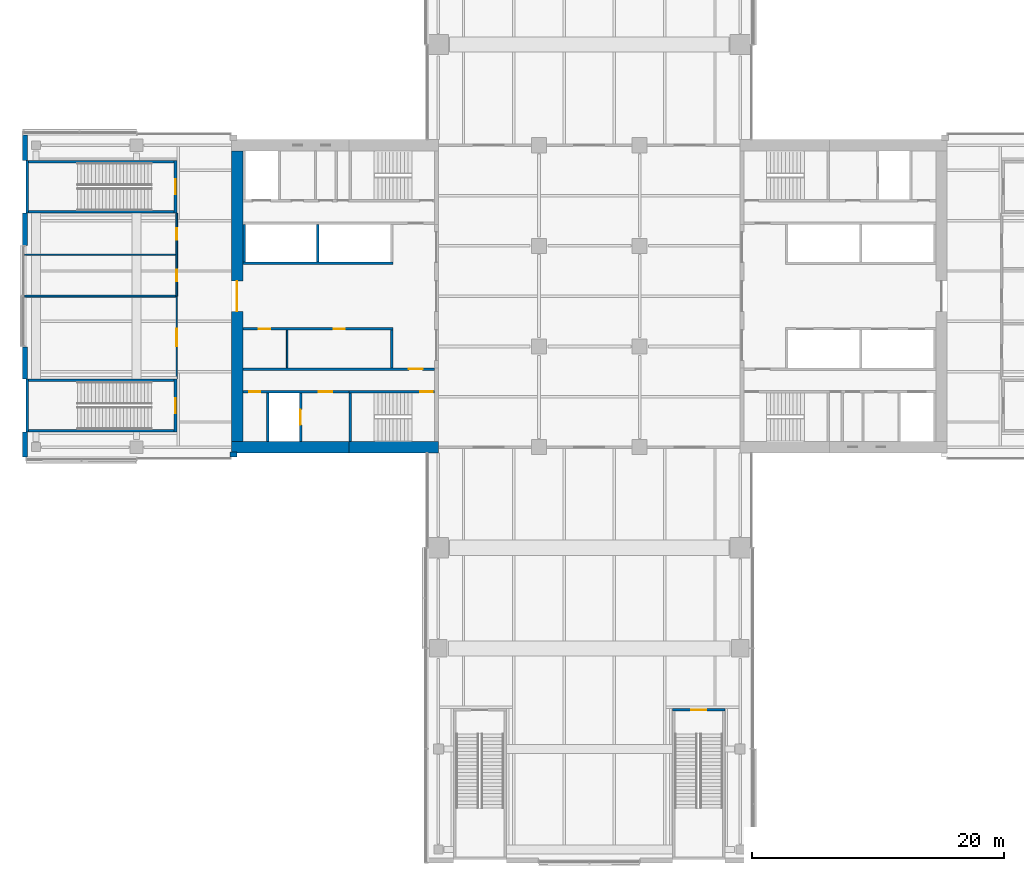
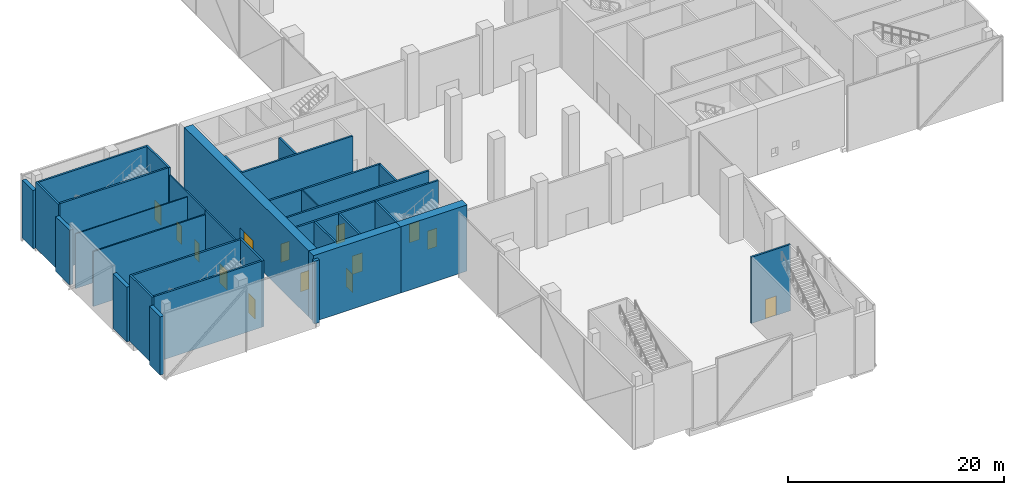
# One storey, part 14 of 25: 33 walls, 14 doors, 14 openings.
"""IFC4 building model written with IfcOpenShell, lengths in metres."""

import ifcopenshell
import ifcopenshell.guid

model = None  # the IFC model being written
_history = None  # IfcOwnerHistory: only IFC2X3 demands one
_inside = {}  # id of a spatial element -> (the spatial element, [elements in it])
_under = {}  # id of a project, library or spatial element -> (it, [spatial elements below it])
_declared = {}  # id of a project -> (the project, [libraries it declares])
_typed = {}  # id of a type object -> (the type object, [elements of that type])
_made_of = {}  # id of a material, layer set ... -> (it, [elements and type objects made of it])


def new_model(schema):
    """Start an empty IFC model of exactly this schema.

    Asked for "IFC4X3", IfcOpenShell would pick the latest addendum, in which some entities
    have other attributes; the version numbers below select the first issue.
    IFC2X3 requires an IfcOwnerHistory on every rooted entity: one is made here for all.
    """
    global model, _history
    if schema == "IFC4X3":
        model = ifcopenshell.file(schema_version=(4, 3, 0, 0))
    else:
        model = ifcopenshell.file(schema=schema)
    _inside.clear()
    _under.clear()
    _declared.clear()
    _typed.clear()
    _made_of.clear()
    _history = None
    if model.schema == "IFC2X3":
        org = make("IfcOrganization", Name="unknown")
        user = make(
            "IfcPersonAndOrganization",
            ThePerson=make("IfcPerson", FamilyName="unknown"),
            TheOrganization=org,
        )
        app = make(
            "IfcApplication",
            ApplicationDeveloper=org,
            Version="unknown",
            ApplicationFullName="unknown",
            ApplicationIdentifier="unknown",
        )
        _history = make(
            "IfcOwnerHistory",
            OwningUser=user,
            OwningApplication=app,
            ChangeAction="ADDED",
            CreationDate=0,
        )
    return model


def make(cls, **values):
    """One entity of the class cls with the attributes given. An attribute that is None is left unset."""
    return model.create_entity(
        cls, **{name: value for name, value in values.items() if value is not None}
    )


def rooted(cls, **values):
    """An entity with a GlobalId (a new one), such as an element, a storey or a relation."""
    return make(cls, GlobalId=ifcopenshell.guid.new(), OwnerHistory=_history, **values)


def si_unit(unit_type, name, prefix=None):
    """IfcSIUnit, for example si_unit("LENGTHUNIT", "METRE", prefix="MILLI")."""
    return make("IfcSIUnit", UnitType=unit_type, Prefix=prefix, Name=name)


def assignment(units):
    """IfcUnitAssignment: the units of a project."""
    return None if units is None else make("IfcUnitAssignment", Units=units)


def point(xyz):
    """IfcCartesianPoint."""
    return None if xyz is None else make("IfcCartesianPoint", Coordinates=xyz)


def direction(xyz):
    """IfcDirection."""
    return None if xyz is None else make("IfcDirection", DirectionRatios=xyz)


def frame(location, z_axis=None, x_axis=None):
    """IfcAxis2Placement3D, a coordinate frame: its origin and axes. An axis left out is left unset."""
    return make(
        "IfcAxis2Placement3D",
        Location=point(location),
        Axis=direction(z_axis),
        RefDirection=direction(x_axis),
    )


def frame_2d(location, x_axis=None):
    """IfcAxis2Placement2D, a coordinate frame in the plane: its origin and x axis."""
    return make(
        "IfcAxis2Placement2D", Location=point(location), RefDirection=direction(x_axis)
    )


def origin():
    """The frame at (0, 0, 0) with its axes left unset."""
    return frame((0.0, 0.0, 0.0))


def place(relative_to, where):
    """IfcLocalPlacement: puts the frame where relative to a parent placement (None: the world)."""
    return make(
        "IfcLocalPlacement", PlacementRelTo=relative_to, RelativePlacement=where
    )


def context(
    kind, dimensions, precision=None, world=None, true_north=None, identifier=None
):
    """IfcGeometricRepresentationContext, for example the 3D "Model" context."""
    return make(
        "IfcGeometricRepresentationContext",
        ContextIdentifier=identifier,
        ContextType=kind,
        CoordinateSpaceDimension=dimensions,
        Precision=precision,
        WorldCoordinateSystem=world,
        TrueNorth=true_north,
    )


def subcontext(parent, identifier, kind, view, scale=None):
    """IfcGeometricRepresentationSubContext, for example "Body" below "Model"."""
    return make(
        "IfcGeometricRepresentationSubContext",
        ContextIdentifier=identifier,
        ContextType=kind,
        ParentContext=parent,
        TargetScale=scale,
        TargetView=view,
    )


def project(units=None, contexts=None):
    """IfcProject with its units and contexts."""
    return rooted(
        "IfcProject",
        Name="project",
        RepresentationContexts=contexts,
        UnitsInContext=assignment(units),
    )


def spatial(cls, under=None, at=None, **own):
    """A site, building, storey or space (cls), placed at a placement, below another one or the project."""
    s = rooted(cls, ObjectPlacement=at, **own)
    if under is not None:
        _under.setdefault(under.id(), (under, []))[1].append(s)
    return s


def profile(cls, at=None, kind="AREA", **sizes):
    """A parametric profile (cls). Its sizes go by their IFC names, for example OverallWidth=200.0."""
    return make(cls, ProfileType=kind, Position=at, **sizes)


def rectangle(**sizes):
    """IfcRectangleProfileDef."""
    return profile("IfcRectangleProfileDef", **sizes)


def extrude(swept, where, along, depth):
    """IfcExtrudedAreaSolid: the profile swept, set in the frame where, extruded along a direction by depth."""
    return make(
        "IfcExtrudedAreaSolid",
        SweptArea=swept,
        Position=where,
        ExtrudedDirection=direction(along),
        Depth=depth,
    )


def shape(context_of_items, identifier, shape_type, items):
    """IfcShapeRepresentation: the items that make up one representation, for example the "Body"."""
    return make(
        "IfcShapeRepresentation",
        ContextOfItems=context_of_items,
        RepresentationIdentifier=identifier,
        RepresentationType=shape_type,
        Items=items,
    )


def material(Name=None, Category=None):
    """IfcMaterial."""
    return make("IfcMaterial", Name=Name, Category=Category)


def layer(
    of_material, thickness, ventilated=None, Name=None, Category=None, Priority=None
):
    """IfcMaterialLayer: one layer of a wall or slab, of a material (None: an air gap)."""
    return make(
        "IfcMaterialLayer",
        Material=of_material,
        LayerThickness=thickness,
        IsVentilated=ventilated,
        Name=Name,
        Category=Category,
        Priority=Priority,
    )


def layer_set(layers, Name=None):
    """IfcMaterialLayerSet."""
    return make("IfcMaterialLayerSet", MaterialLayers=layers, LayerSetName=Name)


def constituent(of_material, Name=None, Category=None, fraction=None):
    """IfcMaterialConstituent: one of the materials an element consists of."""
    return make(
        "IfcMaterialConstituent",
        Name=Name,
        Material=of_material,
        Fraction=fraction,
        Category=Category,
    )


def constituent_set(constituents=None, Name=None):
    """IfcMaterialConstituentSet."""
    return make(
        "IfcMaterialConstituentSet", Name=Name, MaterialConstituents=constituents
    )


def made_of(thing, what):
    """Note that an element or type object is made of a material, layer set ...; save() writes the relation."""
    if what is not None:
        _made_of.setdefault(what.id(), (what, []))[1].append(thing)
    return thing


def type_object(cls, material=None, **own):
    """A type object (cls), such as IfcWallType, which elements share."""
    return made_of(rooted(cls, **own), material)


def element(
    cls,
    number,
    at=None,
    inside=None,
    cuts=None,
    type_object=None,
    material=None,
    context=None,
    identifier="Body",
    shape_type=None,
    held_by="IfcProductDefinitionShape",
    body=None,
    shapes=None,
    **own,
):
    """One element of the class cls, such as IfcWall. Its Tag is "e" and its number.

    at: its placement. inside: the storey or other place that contains it. cuts: it is an
    opening in that element (IfcRelVoidsElement). A single representation is given by context,
    identifier, shape_type and body (its items); several are given by shapes. held_by: the class
    of the entity that holds the representations. save() writes the other relations.
    """
    e = rooted(cls, Tag="e%d" % number, ObjectPlacement=at, **own)
    if body is not None:
        shapes = [shape(context, identifier, shape_type, body)]
    if shapes is not None:
        e.Representation = make(held_by, Representations=shapes)
    if inside is not None:
        _inside.setdefault(inside.id(), (inside, []))[1].append(e)
    if cuts is not None:
        rooted(
            "IfcRelVoidsElement", RelatingBuildingElement=cuts, RelatedOpeningElement=e
        )
    if type_object is not None:
        _typed.setdefault(type_object.id(), (type_object, []))[1].append(e)
    return made_of(e, material)


def fill(opening, filler):
    """IfcRelFillsElement: the door or window that sits in an opening."""
    return rooted(
        "IfcRelFillsElement",
        RelatingOpeningElement=opening,
        RelatedBuildingElement=filler,
    )


def aggregate(whole, parts):
    """IfcRelAggregates: a whole, such as a stair, and the parts it consists of."""
    return rooted("IfcRelAggregates", RelatingObject=whole, RelatedObjects=parts)


def save(model, path):
    """Write the relations noted so far, then the file.

    IfcRelAggregates (storeys below a building ...), IfcRelContainedInSpatialStructure (elements
    in a storey), IfcRelDefinesByType, IfcRelAssociatesMaterial and IfcRelDeclares: one each for
    every whole, place, type object, material and project.
    """
    for whole, parts in _under.values():
        aggregate(whole, parts)
    for where, things in _inside.values():
        rooted(
            "IfcRelContainedInSpatialStructure",
            RelatedElements=things,
            RelatingStructure=where,
        )
    for kind, things in _typed.values():
        rooted("IfcRelDefinesByType", RelatedObjects=things, RelatingType=kind)
    for what, things in _made_of.values():
        rooted("IfcRelAssociatesMaterial", RelatedObjects=things, RelatingMaterial=what)
    for by, libraries in _declared.values():
        rooted("IfcRelDeclares", RelatingContext=by, RelatedDefinitions=libraries)
    model.write(path)


model = new_model("IFC4")

# Units and contexts
model_context = context("Model", 3, precision=1e-05, world=origin(), true_north=direction((0.0, 1.0)))
body_context = subcontext(model_context, "Body", "Model", "MODEL_VIEW")
ifc_project = project(units=[si_unit("LENGTHUNIT", "METRE"), si_unit("AREAUNIT", "SQUARE_METRE"), si_unit("VOLUMEUNIT", "CUBIC_METRE"), si_unit("PLANEANGLEUNIT", "RADIAN"), si_unit("MASSUNIT", "GRAM", prefix="KILO")], contexts=[model_context])

# Site, building, storey
site_placement = place(None, origin())
site = spatial("IfcSite", under=ifc_project, at=site_placement, CompositionType="ELEMENT")
building_placement = place(site_placement, origin())
building = spatial("IfcBuilding", under=site, at=building_placement, Name="Crosswind Convention Tower", CompositionType="ELEMENT")
storey_placement = place(building_placement, frame((0.0, 0.0, 10.0)))
storey = spatial("IfcBuildingStorey", under=building, at=storey_placement, Name="L01", CompositionType="ELEMENT", Elevation=10.0)

# Wall, openings, doors
ifc_material_1 = material(Name="Plasterboard partition", Category="gypsum")
ifc_layer_1 = layer(ifc_material_1, 0.14990234375)
ifc_layer_set_1 = layer_set([ifc_layer_1], Name="CORRIDOR WALL 150")
wall_type_1 = type_object("IfcWallType", Name="CORRIDOR WALL 150", PredefinedType="PARTITIONING", material=ifc_layer_set_1)
wall_1_placement = place(storey_placement, frame((92.199951171875, 100.0, 0.0), z_axis=(0.0, 0.0, 1.0), x_axis=(0.0, 1.0, 0.0)))
wall_1 = element("IfcWall", 1, at=wall_1_placement, inside=storey, type_object=wall_type_1, Name="Corridor Wall 32", PredefinedType="PARTITIONING", context=body_context, shape_type="SweptSolid", body=[
    extrude(rectangle(XDim=6.60009765625, YDim=0.14990234375, at=frame_2d((3.300048828125, 0.0))), origin(), (0.0, 0.0, 1.0), 6.636474609375),
])
opening_1_placement = place(wall_1_placement, frame((1.199951171875, 0.0, 0.0)))
opening_1 = element("IfcOpeningElement", 2, at=opening_1_placement, cuts=wall_1, Name="Opening 01.011", PredefinedType="OPENING", context=body_context, shape_type="SweptSolid", body=[
    extrude(rectangle(XDim=0.89990234375, YDim=2.10009765625, at=frame_2d((0.449951171875, 1.050048828125))), frame((0.0, 0.0849609375, 0.0), z_axis=(0.0, -1.0, 0.0), x_axis=(1.0, 0.0, 0.0)), (0.0, 0.0, 1.0), 0.169921875),
])
opening_2_placement = place(wall_1_placement, frame((4.5, 0.0, 0.0)))
opening_2 = element("IfcOpeningElement", 3, at=opening_2_placement, cuts=wall_1, Name="Opening 01.012", PredefinedType="OPENING", context=body_context, shape_type="SweptSolid", body=[
    extrude(rectangle(XDim=0.89990234375, YDim=2.10009765625, at=frame_2d((0.449951171875, 1.050048828125))), frame((0.0, 0.0849609375, 0.0), z_axis=(0.0, -1.0, 0.0), x_axis=(1.0, 0.0, 0.0)), (0.0, 0.0, 1.0), 0.169921875),
])
ifc_material_2 = material(Name="Timber door", Category="wood")
door_type_1 = type_object("IfcDoorType", Name="WC DOOR 900X2100", OperationType="NOTDEFINED", PredefinedType="DOOR", material=ifc_material_2)
door_1_placement = place(opening_1_placement, origin())
door_1 = element("IfcDoor", 4, at=door_1_placement, inside=storey, type_object=door_type_1, Name="Door 01.011", ObjectType="D7", OperationType="SINGLE_SWING_RIGHT", OverallHeight=2.10009765625, OverallWidth=0.89990234375, PredefinedType="DOOR", context=body_context, shape_type="SweptSolid", body=[
    extrude(rectangle(XDim=0.89990234375, YDim=2.10009765625, at=frame_2d((0.449951171875, 1.050048828125))), frame((0.0, 0.02490234375, 0.0), z_axis=(0.0, -1.0, 0.0), x_axis=(1.0, 0.0, 0.0)), (0.0, 0.0, 1.0), 0.050048828125),
])
fill(opening_1, door_1)
door_2_placement = place(opening_2_placement, origin())
door_2 = element("IfcDoor", 5, at=door_2_placement, inside=storey, type_object=door_type_1, Name="Door 01.012", ObjectType="D7", OperationType="SINGLE_SWING_RIGHT", OverallHeight=2.10009765625, OverallWidth=0.89990234375, PredefinedType="DOOR", context=body_context, shape_type="SweptSolid", body=[
    extrude(rectangle(XDim=0.89990234375, YDim=2.10009765625, at=frame_2d((0.449951171875, 1.050048828125))), frame((0.0, 0.02490234375, 0.0), z_axis=(0.0, -1.0, 0.0), x_axis=(1.0, 0.0, 0.0)), (0.0, 0.0, 1.0), 0.050048828125),
])
fill(opening_2, door_2)

# Wall, opening, door
ifc_material_3 = material(Name="Concrete C60/75", Category="concrete")
ifc_layer_2 = layer(ifc_material_3, 0.89990234375)
ifc_layer_set_2 = layer_set([ifc_layer_2], Name="Concrete C60/75")
wall_type_2 = type_object("IfcWallType", Name="Concrete core wall 900", PredefinedType="SHEAR", material=ifc_layer_set_2)
wall_2_placement = place(storey_placement, frame((97.0, 111.550048828125, 0.0), z_axis=(0.0, 0.0, 1.0), x_axis=(0.0, -1.0, 0.0)))
wall_2 = element("IfcWall", 6, at=wall_2_placement, inside=storey, type_object=wall_type_2, Name="Wall O W L01", PredefinedType="SHEAR", context=body_context, shape_type="SweptSolid", body=[
    extrude(rectangle(XDim=23.10009765625, YDim=0.89990234375, at=frame_2d((11.550048828125, 0.0))), origin(), (0.0, 0.0, 1.0), 7.5),
])
opening_3_placement = place(wall_2_placement, frame((10.35009765625, 0.0, 0.0)))
opening_3 = element("IfcOpeningElement", 7, at=opening_3_placement, cuts=wall_2, Name="Opening D100", PredefinedType="OPENING", context=body_context, shape_type="SweptSolid", body=[
    extrude(rectangle(XDim=2.39990234375, YDim=2.39990234375, at=frame_2d((1.199951171875, 1.199951171875))), frame((0.0, 0.4599609375, 0.0), z_axis=(0.0, -1.0, 0.0), x_axis=(1.0, 0.0, 0.0)), (0.0, 0.0, 1.0), 0.919921875),
])
ifc_material_4 = material(Name="Steel fire door with glazed vision panels", Category="steel")
door_type_2 = type_object("IfcDoorType", Name="Fire-rated double door 2400x2400", OperationType="DOUBLE_DOOR_SINGLE_SWING", PredefinedType="DOOR", material=ifc_material_4)
door_3_placement = place(opening_3_placement, frame((2.39990234375, 0.0, 0.0), z_axis=(0.0, 0.0, 1.0), x_axis=(-1.0, 0.0, 0.0)))
door_3 = element("IfcDoor", 8, at=door_3_placement, inside=storey, type_object=door_type_2, Name="Lobby outer door L01", ObjectType="D100", OperationType="DOUBLE_DOOR_SINGLE_SWING", OverallHeight=2.39990234375, OverallWidth=2.39990234375, PredefinedType="DOOR", context=body_context, shape_type="SweptSolid", body=[
    extrude(rectangle(XDim=2.39990234375, YDim=2.39990234375, at=frame_2d((1.199951171875, 1.199951171875))), frame((0.0, 0.02490234375, 0.0), z_axis=(0.0, -1.0, 0.0), x_axis=(1.0, 0.0, 0.0)), (0.0, 0.0, 1.0), 0.050048828125),
])
fill(opening_3, door_3)

# Wall
ifc_material_5 = material(Name="Concrete C50/60", Category="concrete")
ifc_layer_3 = layer(ifc_material_5, 0.199951171875)
ifc_layer_set_3 = layer_set([ifc_layer_3], Name="Concrete C50/60")
wall_type_3 = type_object("IfcWallType", Name="Concrete shaft and stair wall 200", PredefinedType="SHEAR", material=ifc_layer_set_3)
wall_3_placement = place(storey_placement, frame((109.300048828125, 97.300048828125, 0.0), z_axis=(0.0, 0.0, 1.0), x_axis=(0.0, -1.0, 0.0)))
element("IfcWall", 9, at=wall_3_placement, inside=storey, type_object=wall_type_3, Name="Wall RPEND W L01", PredefinedType="SHEAR", context=body_context, shape_type="SweptSolid", body=[
    extrude(rectangle(XDim=3.0, YDim=0.199951171875, at=frame_2d((1.5, 0.0))), origin(), (0.0, 0.0, 1.0), 7.5),
])

# Wall, openings, doors
wall_4_placement = place(storey_placement, frame((109.39990234375, 97.39990234375, 0.0), z_axis=(0.0, 0.0, 1.0), x_axis=(-1.0, 0.0, 0.0)))
wall_4 = element("IfcWall", 10, at=wall_4_placement, inside=storey, type_object=wall_type_3, Name="Wall RPFRONT W L01", PredefinedType="SHEAR", context=body_context, shape_type="SweptSolid", body=[
    extrude(rectangle(XDim=11.949951171875, YDim=0.199951171875, at=frame_2d((5.97509765625, 0.0))), origin(), (0.0, 0.0, 1.0), 7.5),
])
opening_4_placement = place(wall_4_placement, frame((3.831298828125, 0.0, 0.0)))
opening_4 = element("IfcOpeningElement", 11, at=opening_4_placement, cuts=wall_4, Name="Opening D106", PredefinedType="OPENING", context=body_context, shape_type="SweptSolid", body=[
    extrude(rectangle(XDim=0.89990234375, YDim=2.10009765625, at=frame_2d((0.449951171875, 1.050048828125))), frame((0.0, 0.10986328125, 0.0), z_axis=(0.0, -1.0, 0.0), x_axis=(1.0, 0.0, 0.0)), (0.0, 0.0, 1.0), 0.219970703125),
])
opening_5_placement = place(wall_4_placement, frame((9.768798828125, 0.0, 0.0)))
opening_5 = element("IfcOpeningElement", 12, at=opening_5_placement, cuts=wall_4, Name="Opening D106", PredefinedType="OPENING", context=body_context, shape_type="SweptSolid", body=[
    extrude(rectangle(XDim=0.89990234375, YDim=2.10009765625, at=frame_2d((0.449951171875, 1.050048828125))), frame((0.0, 0.10986328125, 0.0), z_axis=(0.0, -1.0, 0.0), x_axis=(1.0, 0.0, 0.0)), (0.0, 0.0, 1.0), 0.219970703125),
])
door_type_3 = type_object("IfcDoorType", Name="Single leaf door 900x2100", OperationType="NOTDEFINED", PredefinedType="DOOR", material=ifc_material_2)
door_4_placement = place(opening_4_placement, origin())
door_4 = element("IfcDoor", 13, at=door_4_placement, inside=storey, type_object=door_type_3, Name="Door to cloakroom L01", ObjectType="D106", OperationType="SINGLE_SWING_RIGHT", OverallHeight=2.10009765625, OverallWidth=0.89990234375, PredefinedType="DOOR", context=body_context, shape_type="SweptSolid", body=[
    extrude(rectangle(XDim=0.89990234375, YDim=2.10009765625, at=frame_2d((0.449951171875, 1.050048828125))), frame((0.0, 0.02490234375, 0.0), z_axis=(0.0, -1.0, 0.0), x_axis=(1.0, 0.0, 0.0)), (0.0, 0.0, 1.0), 0.050048828125),
])
fill(opening_4, door_4)
door_5_placement = place(opening_5_placement, origin())
door_5 = element("IfcDoor", 14, at=door_5_placement, inside=storey, type_object=door_type_3, Name="Door to press room L01", ObjectType="D106", OperationType="SINGLE_SWING_RIGHT", OverallHeight=2.10009765625, OverallWidth=0.89990234375, PredefinedType="DOOR", context=body_context, shape_type="SweptSolid", body=[
    extrude(rectangle(XDim=0.89990234375, YDim=2.10009765625, at=frame_2d((0.449951171875, 1.050048828125))), frame((0.0, 0.02490234375, 0.0), z_axis=(0.0, -1.0, 0.0), x_axis=(1.0, 0.0, 0.0)), (0.0, 0.0, 1.0), 0.050048828125),
])
fill(opening_5, door_5)

# Walls
for number, where, z_axis, x_axis, name in (
    (15, (103.39990234375, 105.699951171875, 0.0), (0.0, 0.0, 1.0), (0.0, -1.0, 0.0), "Wall RMSEP W L01"),
    (16, (97.550048828125, 105.699951171875, 0.0), (0.0, 0.0, 1.0), (0.0, -1.0, 0.0), "Wall RMEAST W L01"),
):
    element("IfcWall", number, at=place(storey_placement, frame(where, z_axis=z_axis, x_axis=x_axis)), inside=storey, type_object=wall_type_3, Name=name, PredefinedType="SHEAR", context=body_context, shape_type="SweptSolid", body=[
        extrude(rectangle(XDim=3.0, YDim=0.199951171875, at=frame_2d((1.5, 0.0))), origin(), (0.0, 0.0, 1.0), 7.5),
    ])
wall_5_placement = place(storey_placement, frame((109.39990234375, 102.60009765625, 0.0), z_axis=(0.0, 0.0, 1.0), x_axis=(-1.0, 0.0, 0.0)))
element("IfcWall", 17, at=wall_5_placement, inside=storey, type_object=wall_type_3, Name="Wall RMFRONT W L01", PredefinedType="SHEAR", context=body_context, shape_type="SweptSolid", body=[
    extrude(rectangle(XDim=11.949951171875, YDim=0.199951171875, at=frame_2d((5.97509765625, 0.0))), origin(), (0.0, 0.0, 1.0), 7.5),
])

# Wall, opening, door
wall_6_placement = place(storey_placement, frame((112.699951171875, 94.199951171875, 0.0), z_axis=(0.0, 0.0, 1.0), x_axis=(-1.0, 0.0, 0.0)))
wall_6 = element("IfcWall", 18, at=wall_6_placement, inside=storey, type_object=wall_type_3, Name="Wall HP W L01", PredefinedType="SHEAR", context=body_context, shape_type="SweptSolid", body=[
    extrude(rectangle(XDim=15.25, YDim=0.199951171875, at=frame_2d((7.625, 0.0))), origin(), (0.0, 0.0, 1.0), 7.5),
])
opening_6_placement = place(wall_6_placement, frame((0.949951171875, 0.0, 0.0)))
opening_6 = element("IfcOpeningElement", 19, at=opening_6_placement, cuts=wall_6, Name="Opening D104", PredefinedType="OPENING", context=body_context, shape_type="SweptSolid", body=[
    extrude(rectangle(XDim=1.10009765625, YDim=2.10009765625, at=frame_2d((0.550048828125, 1.050048828125))), frame((0.0, 0.10986328125, 0.0), z_axis=(0.0, -1.0, 0.0), x_axis=(1.0, 0.0, 0.0)), (0.0, 0.0, 1.0), 0.219970703125),
])
ifc_material_6 = material(Name="Steel fire door", Category="steel")
door_type_4 = type_object("IfcDoorType", Name="Fire-rated single door 1100x2100", OperationType="NOTDEFINED", PredefinedType="DOOR", material=ifc_material_6)
door_6_placement = place(opening_6_placement, origin())
door_6 = element("IfcDoor", 20, at=door_6_placement, inside=storey, type_object=door_type_4, Name="Corridor door L01", ObjectType="D104", OperationType="SINGLE_SWING_LEFT", OverallHeight=2.10009765625, OverallWidth=1.10009765625, PredefinedType="DOOR", context=body_context, shape_type="SweptSolid", body=[
    extrude(rectangle(XDim=1.10009765625, YDim=2.10009765625, at=frame_2d((0.550048828125, 1.050048828125))), frame((0.0, 0.02490234375, 0.0), z_axis=(0.0, -1.0, 0.0), x_axis=(1.0, 0.0, 0.0)), (0.0, 0.0, 1.0), 0.050048828125),
])
fill(opening_6, door_6)

# Wall
wall_7_placement = place(storey_placement, frame((106.0, 92.300048828125, 0.0), z_axis=(0.0, 0.0, 1.0), x_axis=(0.0, -1.0, 0.0)))
element("IfcWall", 21, at=wall_7_placement, inside=storey, type_object=wall_type_3, Name="Wall PSE W L01", PredefinedType="SHEAR", context=body_context, shape_type="SweptSolid", body=[
    extrude(rectangle(XDim=3.85009765625, YDim=0.199951171875, at=frame_2d((1.925048828125, 0.0))), origin(), (0.0, 0.0, 1.0), 7.5),
])

# Wall, opening, door
wall_8_placement = place(storey_placement, frame((102.050048828125, 92.300048828125, 0.0), z_axis=(0.0, 0.0, 1.0), x_axis=(0.0, -1.0, 0.0)))
wall_8 = element("IfcWall", 22, at=wall_8_placement, inside=storey, type_object=wall_type_3, Name="Wall PFLW W L01", PredefinedType="SHEAR", context=body_context, shape_type="SweptSolid", body=[
    extrude(rectangle(XDim=3.85009765625, YDim=0.199951171875, at=frame_2d((1.925048828125, 0.0))), origin(), (0.0, 0.0, 1.0), 7.5),
])
opening_7_placement = place(wall_8_placement, frame((1.324951171875, 0.0, 0.0)))
opening_7 = element("IfcOpeningElement", 23, at=opening_7_placement, cuts=wall_8, Name="Opening LD1", PredefinedType="OPENING", context=body_context, shape_type="SweptSolid", body=[
    extrude(rectangle(XDim=1.199951171875, YDim=2.10009765625, at=frame_2d((0.60009765625, 1.050048828125))), frame((0.0, 0.10986328125, 0.0), z_axis=(0.0, -1.0, 0.0), x_axis=(1.0, 0.0, 0.0)), (0.0, 0.0, 1.0), 0.219970703125),
])
ifc_material_7 = material(Name="Stainless steel", Category="steel")
door_type_5 = type_object("IfcDoorType", Name="Lift landing door 1200x2100", OperationType="DOUBLE_DOOR_SLIDING", PredefinedType="DOOR", material=ifc_material_7)
door_7_placement = place(opening_7_placement, origin())
door_7 = element("IfcDoor", 24, at=door_7_placement, inside=storey, type_object=door_type_5, Name="Landing door FF2 L01", ObjectType="LD1", OperationType="DOUBLE_DOOR_SLIDING", OverallHeight=2.10009765625, OverallWidth=1.199951171875, PredefinedType="DOOR", context=body_context, shape_type="SweptSolid", body=[
    extrude(rectangle(XDim=1.199951171875, YDim=2.10009765625, at=frame_2d((0.60009765625, 1.050048828125))), frame((0.0, 0.02490234375, 0.0), z_axis=(0.0, -1.0, 0.0), x_axis=(1.0, 0.0, 0.0)), (0.0, 0.0, 1.0), 0.050048828125),
])
fill(opening_7, door_7)

# Wall
wall_9_placement = place(storey_placement, frame((99.449951171875, 92.300048828125, 0.0), z_axis=(0.0, 0.0, 1.0), x_axis=(0.0, -1.0, 0.0)))
element("IfcWall", 25, at=wall_9_placement, inside=storey, type_object=wall_type_3, Name="Wall PFSE W L01", PredefinedType="SHEAR", context=body_context, shape_type="SweptSolid", body=[
    extrude(rectangle(XDim=3.85009765625, YDim=0.199951171875, at=frame_2d((1.925048828125, 0.0))), origin(), (0.0, 0.0, 1.0), 7.5),
])

# Wall, opening, door
wall_10_placement = place(storey_placement, frame((112.699951171875, 92.39990234375, 0.0), z_axis=(0.0, 0.0, 1.0), x_axis=(-1.0, 0.0, 0.0)))
wall_10 = element("IfcWall", 26, at=wall_10_placement, inside=storey, type_object=wall_type_3, Name="Wall PCW W L01", PredefinedType="SHEAR", context=body_context, shape_type="SweptSolid", body=[
    extrude(rectangle(XDim=6.800048828125, YDim=0.199951171875, at=frame_2d((3.39990234375, 0.0))), origin(), (0.0, 0.0, 1.0), 7.5),
])
opening_8_placement = place(wall_10_placement, frame((0.14990234375, 0.0, 0.0)))
opening_8 = element("IfcOpeningElement", 27, at=opening_8_placement, cuts=wall_10, Name="Opening D103", PredefinedType="OPENING", context=body_context, shape_type="SweptSolid", body=[
    extrude(rectangle(XDim=1.0, YDim=2.10009765625, at=frame_2d((0.5, 1.050048828125))), frame((0.0, 0.10986328125, 0.0), z_axis=(0.0, -1.0, 0.0), x_axis=(1.0, 0.0, 0.0)), (0.0, 0.0, 1.0), 0.219970703125),
])
door_type_6 = type_object("IfcDoorType", Name="Fire-rated single door 1000x2100", OperationType="NOTDEFINED", PredefinedType="DOOR", material=ifc_material_6)
door_8_placement = place(opening_8_placement, origin())
door_8 = element("IfcDoor", 28, at=door_8_placement, inside=storey, type_object=door_type_6, Name="Stair ST3 door L01", ObjectType="D103", OperationType="SINGLE_SWING_LEFT", OverallHeight=2.10009765625, OverallWidth=1.0, PredefinedType="DOOR", context=body_context, shape_type="SweptSolid", body=[
    extrude(rectangle(XDim=1.0, YDim=2.10009765625, at=frame_2d((0.5, 1.050048828125))), frame((0.0, 0.02490234375, 0.0), z_axis=(0.0, -1.0, 0.0), x_axis=(1.0, 0.0, 0.0)), (0.0, 0.0, 1.0), 0.050048828125),
])
fill(opening_8, door_8)

# Wall, openings, doors
wall_11_placement = place(storey_placement, frame((105.89990234375, 92.39990234375, 0.0), z_axis=(0.0, 0.0, 1.0), x_axis=(-1.0, 0.0, 0.0)))
wall_11 = element("IfcWall", 29, at=wall_11_placement, inside=storey, type_object=wall_type_3, Name="Wall PCX W L01", PredefinedType="SHEAR", context=body_context, shape_type="SweptSolid", body=[
    extrude(rectangle(XDim=8.449951171875, YDim=0.199951171875, at=frame_2d((4.22509765625, 0.0))), origin(), (0.0, 0.0, 1.0), 7.5),
])
opening_9_placement = place(wall_11_placement, frame((1.324951171875, 0.0, 0.0)))
opening_9 = element("IfcOpeningElement", 30, at=opening_9_placement, cuts=wall_11, Name="Opening D104", PredefinedType="OPENING", context=body_context, shape_type="SweptSolid", body=[
    extrude(rectangle(XDim=1.10009765625, YDim=2.10009765625, at=frame_2d((0.550048828125, 1.050048828125))), frame((0.0, 0.10986328125, 0.0), z_axis=(0.0, -1.0, 0.0), x_axis=(1.0, 0.0, 0.0)), (0.0, 0.0, 1.0), 0.219970703125),
])
opening_10_placement = place(wall_11_placement, frame((7.050048828125, 0.0, 0.0)))
opening_10 = element("IfcOpeningElement", 31, at=opening_10_placement, cuts=wall_11, Name="Opening D106", PredefinedType="OPENING", context=body_context, shape_type="SweptSolid", body=[
    extrude(rectangle(XDim=0.89990234375, YDim=2.10009765625, at=frame_2d((0.449951171875, 1.050048828125))), frame((0.0, 0.10986328125, 0.0), z_axis=(0.0, -1.0, 0.0), x_axis=(1.0, 0.0, 0.0)), (0.0, 0.0, 1.0), 0.219970703125),
])
door_9_placement = place(opening_9_placement, origin())
door_9 = element("IfcDoor", 32, at=door_9_placement, inside=storey, type_object=door_type_4, Name="Fire-fighting lobby FF2 door L01", ObjectType="D104", OperationType="SINGLE_SWING_RIGHT", OverallHeight=2.10009765625, OverallWidth=1.10009765625, PredefinedType="DOOR", context=body_context, shape_type="SweptSolid", body=[
    extrude(rectangle(XDim=1.10009765625, YDim=2.10009765625, at=frame_2d((0.550048828125, 1.050048828125))), frame((0.0, 0.02490234375, 0.0), z_axis=(0.0, -1.0, 0.0), x_axis=(1.0, 0.0, 0.0)), (0.0, 0.0, 1.0), 0.050048828125),
])
fill(opening_9, door_9)
door_10_placement = place(opening_10_placement, origin())
door_10 = element("IfcDoor", 33, at=door_10_placement, inside=storey, type_object=door_type_3, Name="Door to comms room L01", ObjectType="D106", OperationType="SINGLE_SWING_RIGHT", OverallHeight=2.10009765625, OverallWidth=0.89990234375, PredefinedType="DOOR", context=body_context, shape_type="SweptSolid", body=[
    extrude(rectangle(XDim=0.89990234375, YDim=2.10009765625, at=frame_2d((0.449951171875, 1.050048828125))), frame((0.0, 0.02490234375, 0.0), z_axis=(0.0, -1.0, 0.0), x_axis=(1.0, 0.0, 0.0)), (0.0, 0.0, 1.0), 0.050048828125),
])
fill(opening_10, door_10)

# Walls
ifc_material_8 = material(Name="Gypsum plasterboard partition", Category="gypsum")
ifc_layer_4 = layer(ifc_material_8, 0.125)
ifc_layer_set_4 = layer_set([ifc_layer_4], Name="Drywall partition wall 125")
wall_type_4 = type_object("IfcWallType", Name="Drywall partition wall 125", PredefinedType="PARTITIONING", material=ifc_layer_set_4)
wall_12_placement = place(storey_placement, frame((100.97509765625, 97.300048828125, 0.0), z_axis=(0.0, 0.0, 1.0), x_axis=(0.0, -1.0, 0.0)))
element("IfcWall", 34, at=wall_12_placement, inside=storey, type_object=wall_type_4, Name="Wall RPP1 W L01", PredefinedType="PARTITIONING", context=body_context, shape_type="SweptSolid", body=[
    extrude(rectangle(XDim=3.0, YDim=0.125, at=frame_2d((1.5, 0.0))), origin(), (0.0, 0.0, 1.0), 7.5),
])
ifc_material_9 = material(Name="Tiled blockwork", Category="masonry")
ifc_layer_5 = layer(ifc_material_9, 0.14990234375)
ifc_layer_set_5 = layer_set([ifc_layer_5], Name="KITCHEN WALL 150")
wall_type_5 = type_object("IfcWallType", Name="KITCHEN WALL 150", PredefinedType="SOLIDWALL", material=ifc_layer_set_5)
wall_13_placement = place(storey_placement, frame((80.10009765625, 100.0, 0.0), z_axis=(0.0, 0.0, 1.0), x_axis=(1.0, 0.0, 0.0)))
element("IfcWall", 35, at=wall_13_placement, inside=storey, type_object=wall_type_5, Name="Kitchen Wall 13", PredefinedType="SOLIDWALL", context=body_context, shape_type="SweptSolid", body=[
    extrude(rectangle(XDim=12.02490234375, YDim=0.14990234375, at=frame_2d((6.012451171875, 0.0))), origin(), (0.0, 0.0, 1.0), 6.199951171875),
])

# Wall, opening, door
wall_14_placement = place(storey_placement, frame((92.199951171875, 93.39990234375, 0.0), z_axis=(0.0, 0.0, 1.0), x_axis=(0.0, 1.0, 0.0)))
wall_14 = element("IfcWall", 36, at=wall_14_placement, inside=storey, type_object=wall_type_5, Name="Kitchen Wall 31", PredefinedType="SOLIDWALL", context=body_context, shape_type="SweptSolid", body=[
    extrude(rectangle(XDim=6.60009765625, YDim=0.14990234375, at=frame_2d((3.300048828125, 0.0))), origin(), (0.0, 0.0, 1.0), 6.636474609375),
])
opening_11_placement = place(wall_14_placement, frame((2.60009765625, 0.0, 0.0)))
opening_11 = element("IfcOpeningElement", 37, at=opening_11_placement, cuts=wall_14, Name="Opening 01.010", PredefinedType="OPENING", context=body_context, shape_type="SweptSolid", body=[
    extrude(rectangle(XDim=1.39990234375, YDim=2.199951171875, at=frame_2d((0.699951171875, 1.10009765625))), frame((0.0, 0.0849609375, 0.0), z_axis=(0.0, -1.0, 0.0), x_axis=(1.0, 0.0, 0.0)), (0.0, 0.0, 1.0), 0.169921875),
])
ifc_material_10 = material(Name="Stainless steel door", Category="steel")
door_type_7 = type_object("IfcDoorType", Name="KITCHEN DOOR 1400X2200", OperationType="DOUBLE_DOOR_SINGLE_SWING", PredefinedType="DOOR", material=ifc_material_10)
door_11_placement = place(opening_11_placement, origin())
door_11 = element("IfcDoor", 38, at=door_11_placement, inside=storey, type_object=door_type_7, Name="Door 01.010", ObjectType="D12", OperationType="DOUBLE_DOOR_SINGLE_SWING", OverallHeight=2.199951171875, OverallWidth=1.39990234375, PredefinedType="DOOR", context=body_context, shape_type="SweptSolid", body=[
    extrude(rectangle(XDim=1.39990234375, YDim=2.199951171875, at=frame_2d((0.699951171875, 1.10009765625))), frame((0.0, 0.02490234375, 0.0), z_axis=(0.0, -1.0, 0.0), x_axis=(1.0, 0.0, 0.0)), (0.0, 0.0, 1.0), 0.050048828125),
])
fill(opening_11, door_11)

# Wall
ifc_layer_6 = layer(ifc_material_1, 0.10009765625)
ifc_layer_set_6 = layer_set([ifc_layer_6], Name="PARTITION 100")
wall_type_6 = type_object("IfcWallType", Name="PARTITION 100", PredefinedType="PARTITIONING", material=ifc_layer_set_6)
wall_15_placement = place(storey_placement, frame((80.10009765625, 103.300048828125, 0.0), z_axis=(0.0, 0.0, 1.0), x_axis=(1.0, 0.0, 0.0)))
element("IfcWall", 39, at=wall_15_placement, inside=storey, type_object=wall_type_6, Name="Partition 15", PredefinedType="PARTITIONING", context=body_context, shape_type="SweptSolid", body=[
    extrude(rectangle(XDim=12.02490234375, YDim=0.10009765625, at=frame_2d((6.012451171875, 0.0))), origin(), (0.0, 0.0, 1.0), 6.199951171875),
])

# Wall, opening, door
ifc_material_11 = material(Name="Concrete C40/50", Category="concrete")
ifc_layer_7 = layer(ifc_material_11, 0.199951171875)
ifc_layer_set_7 = layer_set([ifc_layer_7], Name="Concrete C40/50")
wall_type_7 = type_object("IfcWallType", Name="STAIR ENCLOSURE WALL 200", PredefinedType="SOLIDWALL", material=ifc_layer_set_7)
wall_16_placement = place(storey_placement, frame((131.60009765625, 67.10009765625, 0.0), z_axis=(0.0, 0.0, 1.0), x_axis=(1.0, 0.0, 0.0)))
wall_16 = element("IfcWall", 40, at=wall_16_placement, inside=storey, type_object=wall_type_7, Name="Stair Enclosure Wall 4", PredefinedType="SOLIDWALL", context=body_context, shape_type="SweptSolid", body=[
    extrude(rectangle(XDim=4.199951171875, YDim=0.199951171875, at=frame_2d((2.10009765625, 0.0))), origin(), (0.0, 0.0, 1.0), 7.5),
])
opening_12_placement = place(wall_16_placement, frame((1.5, 0.0, 0.0)))
opening_12 = element("IfcOpeningElement", 41, at=opening_12_placement, cuts=wall_16, Name="Opening 01.018", PredefinedType="OPENING", context=body_context, shape_type="SweptSolid", body=[
    extrude(rectangle(XDim=1.199951171875, YDim=2.199951171875, at=frame_2d((0.60009765625, 1.10009765625))), frame((0.0, 0.10986328125, 0.0), z_axis=(0.0, -1.0, 0.0), x_axis=(1.0, 0.0, 0.0)), (0.0, 0.0, 1.0), 0.219970703125),
])
door_type_8 = type_object("IfcDoorType", Name="STAIR DOOR 1200X2200", OperationType="NOTDEFINED", PredefinedType="DOOR", material=ifc_material_6)
door_12_placement = place(opening_12_placement, frame((1.199951171875, 0.0, 0.0), z_axis=(0.0, 0.0, 1.0), x_axis=(-1.0, 0.0, 0.0)))
door_12 = element("IfcDoor", 42, at=door_12_placement, inside=storey, type_object=door_type_8, Name="Door 01.018", ObjectType="D4", OperationType="SINGLE_SWING_LEFT", OverallHeight=2.199951171875, OverallWidth=1.199951171875, PredefinedType="DOOR", context=body_context, shape_type="SweptSolid", body=[
    extrude(rectangle(XDim=1.199951171875, YDim=2.199951171875, at=frame_2d((0.60009765625, 1.10009765625))), frame((0.0, 0.02490234375, 0.0), z_axis=(0.0, -1.0, 0.0), x_axis=(1.0, 0.0, 0.0)), (0.0, 0.0, 1.0), 0.050048828125),
])
fill(opening_12, door_12)

# Walls
for number, where, z_axis, x_axis, name in (
    (43, (80.39990234375, 89.300048828125, 0.0), (0.0, 0.0, 1.0), (1.0, 0.0, 0.0), "Stair Enclosure Wall 8"),
    (44, (80.39990234375, 93.300048828125, 0.0), (0.0, 0.0, 1.0), (1.0, 0.0, 0.0), "Stair Enclosure Wall 10"),
    (45, (80.39990234375, 106.699951171875, 0.0), (0.0, 0.0, 1.0), (1.0, 0.0, 0.0), "Stair Enclosure Wall 16"),
    (46, (80.39990234375, 110.699951171875, 0.0), (0.0, 0.0, 1.0), (1.0, 0.0, 0.0), "Stair Enclosure Wall 18"),
):
    element("IfcWall", number, at=place(storey_placement, frame(where, z_axis=z_axis, x_axis=x_axis)), inside=storey, type_object=wall_type_7, Name=name, PredefinedType="SOLIDWALL", context=body_context, shape_type="SweptSolid", body=[
        extrude(rectangle(XDim=11.60009765625, YDim=0.199951171875, at=frame_2d((5.800048828125, 0.0))), origin(), (0.0, 0.0, 1.0), 7.5),
    ])
for number, where, z_axis, x_axis, name in (
    (47, (80.300048828125, 89.199951171875, 0.0), (0.0, 0.0, 1.0), (0.0, 1.0, 0.0), "Stair Enclosure Wall 27"),
    (48, (80.300048828125, 106.60009765625, 0.0), (0.0, 0.0, 1.0), (0.0, 1.0, 0.0), "Stair Enclosure Wall 28"),
):
    element("IfcWall", number, at=place(storey_placement, frame(where, z_axis=z_axis, x_axis=x_axis)), inside=storey, type_object=wall_type_7, Name=name, PredefinedType="SOLIDWALL", context=body_context, shape_type="SweptSolid", body=[
        extrude(rectangle(XDim=4.199951171875, YDim=0.199951171875, at=frame_2d((2.10009765625, 0.0))), origin(), (0.0, 0.0, 1.0), 7.5),
    ])

# Wall, opening, door
wall_17_placement = place(storey_placement, frame((92.10009765625, 89.199951171875, 0.0), z_axis=(0.0, 0.0, 1.0), x_axis=(0.0, 1.0, 0.0)))
wall_17 = element("IfcWall", 49, at=wall_17_placement, inside=storey, type_object=wall_type_7, Name="Stair Enclosure Wall 29", PredefinedType="SOLIDWALL", context=body_context, shape_type="SweptSolid", body=[
    extrude(rectangle(XDim=4.199951171875, YDim=0.199951171875, at=frame_2d((2.10009765625, 0.0))), origin(), (0.0, 0.0, 1.0), 7.5),
])
opening_13_placement = place(wall_17_placement, frame((1.5, 0.0, 0.0)))
opening_13 = element("IfcOpeningElement", 50, at=opening_13_placement, cuts=wall_17, Name="Opening 01.019", PredefinedType="OPENING", context=body_context, shape_type="SweptSolid", body=[
    extrude(rectangle(XDim=1.199951171875, YDim=2.199951171875, at=frame_2d((0.60009765625, 1.10009765625))), frame((0.0, 0.10986328125, 0.0), z_axis=(0.0, -1.0, 0.0), x_axis=(1.0, 0.0, 0.0)), (0.0, 0.0, 1.0), 0.219970703125),
])
door_13_placement = place(opening_13_placement, origin())
door_13 = element("IfcDoor", 51, at=door_13_placement, inside=storey, type_object=door_type_8, Name="Door 01.019", ObjectType="D4", OperationType="SINGLE_SWING_RIGHT", OverallHeight=2.199951171875, OverallWidth=1.199951171875, PredefinedType="DOOR", context=body_context, shape_type="SweptSolid", body=[
    extrude(rectangle(XDim=1.199951171875, YDim=2.199951171875, at=frame_2d((0.60009765625, 1.10009765625))), frame((0.0, 0.02490234375, 0.0), z_axis=(0.0, -1.0, 0.0), x_axis=(1.0, 0.0, 0.0)), (0.0, 0.0, 1.0), 0.050048828125),
])
fill(opening_13, door_13)

wall_18_placement = place(storey_placement, frame((92.10009765625, 106.60009765625, 0.0), z_axis=(0.0, 0.0, 1.0), x_axis=(0.0, 1.0, 0.0)))
wall_18 = element("IfcWall", 52, at=wall_18_placement, inside=storey, type_object=wall_type_7, Name="Stair Enclosure Wall 30", PredefinedType="SOLIDWALL", context=body_context, shape_type="SweptSolid", body=[
    extrude(rectangle(XDim=4.199951171875, YDim=0.199951171875, at=frame_2d((2.10009765625, 0.0))), origin(), (0.0, 0.0, 1.0), 7.5),
])
opening_14_placement = place(wall_18_placement, frame((1.5, 0.0, 0.0)))
opening_14 = element("IfcOpeningElement", 53, at=opening_14_placement, cuts=wall_18, Name="Opening 01.020", PredefinedType="OPENING", context=body_context, shape_type="SweptSolid", body=[
    extrude(rectangle(XDim=1.199951171875, YDim=2.199951171875, at=frame_2d((0.60009765625, 1.10009765625))), frame((0.0, 0.10986328125, 0.0), z_axis=(0.0, -1.0, 0.0), x_axis=(1.0, 0.0, 0.0)), (0.0, 0.0, 1.0), 0.219970703125),
])
door_14_placement = place(opening_14_placement, origin())
door_14 = element("IfcDoor", 54, at=door_14_placement, inside=storey, type_object=door_type_8, Name="Door 01.020", ObjectType="D4", OperationType="SINGLE_SWING_RIGHT", OverallHeight=2.199951171875, OverallWidth=1.199951171875, PredefinedType="DOOR", context=body_context, shape_type="SweptSolid", body=[
    extrude(rectangle(XDim=1.199951171875, YDim=2.199951171875, at=frame_2d((0.60009765625, 1.10009765625))), frame((0.0, 0.02490234375, 0.0), z_axis=(0.0, -1.0, 0.0), x_axis=(1.0, 0.0, 0.0)), (0.0, 0.0, 1.0), 0.050048828125),
])
fill(opening_14, door_14)

# Walls
ifc_material_12 = material(Name="Terracotta rainscreen", Category="ceramic")
ifc_layer_8 = layer(ifc_material_12, 0.02001953125)
ifc_material_13 = material(Name="Mineral wool insulation", Category="insulation")
ifc_layer_9 = layer(ifc_material_13, 0.10009765625)
ifc_material_14 = material(Name="Concrete blockwork", Category="masonry")
ifc_layer_10 = layer(ifc_material_14, 0.285888671875)
ifc_layer_set_8 = layer_set([ifc_layer_8, ifc_layer_9, ifc_layer_10], Name="TERRACOTTA CORNER INFILL WALL 406")
wall_type_8 = type_object("IfcWallType", Name="TERRACOTTA CORNER INFILL WALL 406", PredefinedType="SOLIDWALL", material=ifc_layer_set_8)
wall_19_placement = place(storey_placement, frame((96.445068359375, 87.403076171875, 0.0), z_axis=(0.0, 0.0, 1.0), x_axis=(1.0, 0.0, 0.0)))
element("IfcWall", 55, at=wall_19_placement, inside=storey, type_object=wall_type_8, Name="Core corner infill wall L01 3", PredefinedType="SOLIDWALL", context=body_context, shape_type="SweptSolid", body=[
    extrude(rectangle(XDim=0.554931640625, YDim=0.406005859375, at=frame_2d((0.27734375, 0.0))), origin(), (0.0, 0.0, 1.0), 7.10009765625),
])
ifc_layer_11 = layer(ifc_material_12, 0.02001953125)
ifc_layer_12 = layer(ifc_material_13, 0.10009765625)
ifc_layer_13 = layer(ifc_material_14, 0.280029296875)
ifc_layer_set_9 = layer_set([ifc_layer_11, ifc_layer_12, ifc_layer_13], Name="TERRACOTTA INFILL WALL 400")
wall_type_9 = type_object("IfcWallType", Name="TERRACOTTA INFILL WALL 400", PredefinedType="SOLIDWALL", material=ifc_layer_set_9)
wall_20_placement = place(storey_placement, frame((80.114990234375, 112.800048828125, 0.0), z_axis=(0.0, 0.0, 1.0), x_axis=(0.0, -1.0, 0.0)))
element("IfcWall", 56, at=wall_20_placement, inside=storey, type_object=wall_type_9, Name="Stair enclosure side wall L01 W-TIP.1-1.1", PredefinedType="SOLIDWALL", context=body_context, shape_type="SweptSolid", body=[
    extrude(rectangle(XDim=2.0, YDim=0.39990234375, at=frame_2d((1.0, 0.0))), origin(), (0.0, 0.0, 1.0), 6.60009765625),
])
for number, where, z_axis, x_axis, name in (
    (57, (80.114990234375, 106.60009765625, 0.0), (0.0, 0.0, 1.0), (0.0, -1.0, 0.0), "Stair enclosure side wall L01 W-TIP.1-1.2"),
    (58, (80.114990234375, 95.9599609375, 0.0), (0.0, 0.0, 1.0), (0.0, -1.0, 0.0), "Stair enclosure side wall L01 W-TIP.1-3.1"),
):
    element("IfcWall", number, at=place(storey_placement, frame(where, z_axis=z_axis, x_axis=x_axis)), inside=storey, type_object=wall_type_9, Name=name, PredefinedType="SOLIDWALL", context=body_context, shape_type="SweptSolid", body=[
        extrude(rectangle(XDim=2.56005859375, YDim=0.39990234375, at=frame_2d((1.280029296875, 0.0))), origin(), (0.0, 0.0, 1.0), 6.199951171875),
    ])
wall_21_placement = place(storey_placement, frame((80.114990234375, 89.199951171875, 0.0), z_axis=(0.0, 0.0, 1.0), x_axis=(0.0, -1.0, 0.0)))
element("IfcWall", 59, at=wall_21_placement, inside=storey, type_object=wall_type_9, Name="Stair enclosure side wall L01 W-TIP.1-3.2", PredefinedType="SOLIDWALL", context=body_context, shape_type="SweptSolid", body=[
    extrude(rectangle(XDim=2.0, YDim=0.39990234375, at=frame_2d((1.0, 0.0))), origin(), (0.0, 0.0, 1.0), 6.60009765625),
])
ifc_constituent_1 = constituent(ifc_material_3, Name="Structure")
ifc_constituent_2 = constituent(ifc_material_12, Name="Facing")
ifc_constituent_set = constituent_set(constituents=[ifc_constituent_1, ifc_constituent_2], Name="Concrete C60/75, Terracotta rainscreen")
wall_type_10 = type_object("IfcWallType", Name="Terracotta rainscreen on concrete core wall 900", PredefinedType="SHEAR", material=ifc_constituent_set)
wall_22_placement = place(storey_placement, frame((113.0, 88.0, 0.0), z_axis=(0.0, 0.0, 1.0), x_axis=(-1.0, 0.0, 0.0)))
element("IfcWall", 60, at=wall_22_placement, inside=storey, type_object=wall_type_10, Name="Wall N1 W L01", PredefinedType="SHEAR", context=body_context, shape_type="SweptSolid", body=[
    extrude(rectangle(XDim=7.10009765625, YDim=0.89990234375, at=frame_2d((3.550048828125, 0.0))), origin(), (0.0, 0.0, 1.0), 7.5),
])
wall_23_placement = place(storey_placement, frame((105.89990234375, 88.0, 0.0), z_axis=(0.0, 0.0, 1.0), x_axis=(-1.0, 0.0, 0.0)))
element("IfcWall", 61, at=wall_23_placement, inside=storey, type_object=wall_type_10, Name="Wall N2 W L01", PredefinedType="SHEAR", context=body_context, shape_type="SweptSolid", body=[
    extrude(rectangle(XDim=9.349853515625, YDim=0.89990234375, at=frame_2d((4.6748046875, 0.0))), origin(), (0.0, 0.0, 1.0), 7.5),
])

save(model, "model.ifc")
